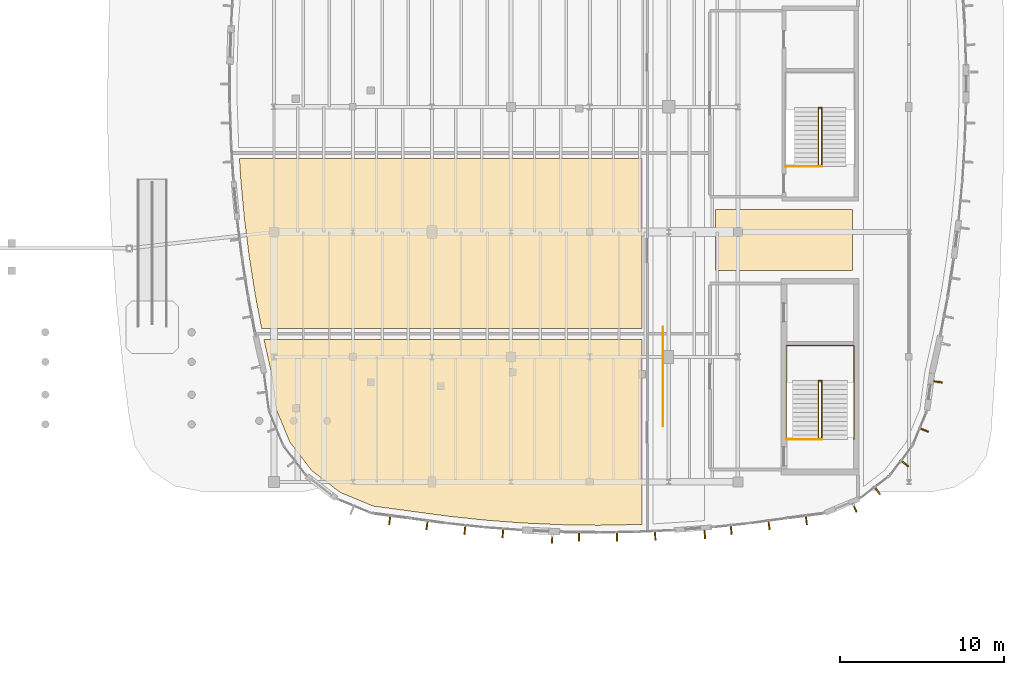
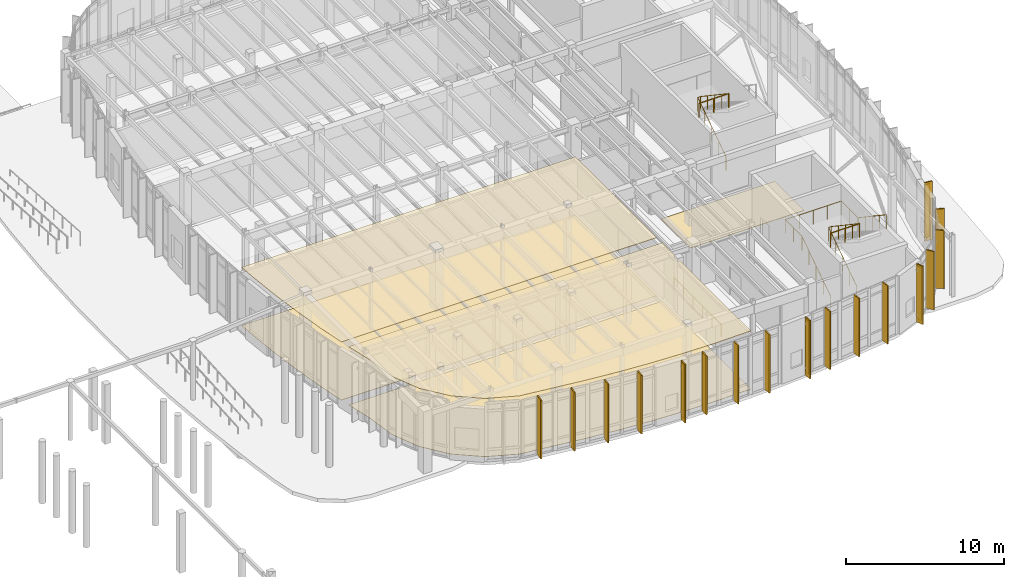
# One storey, part 115 of 120: 22 coverings, 6 railings, 4 shading devices.
"""IFC4 building model written with IfcOpenShell, lengths in metres."""

from ifc_helpers import new_model, si_unit, direction, frame, origin, origin_2d, place, context, subcontext, project, spatial, polyline, rectangle, circle, outline, extrude, material, layer, layer_set, type_object, element, save


model = new_model("IFC4")

# Units and contexts
model_context = context("Model", 3, precision=1e-05, world=origin(), true_north=direction((0.0, 1.0)))
body_context = subcontext(model_context, "Body", "Model", "MODEL_VIEW")
ifc_project = project(units=[si_unit("LENGTHUNIT", "METRE"), si_unit("AREAUNIT", "SQUARE_METRE"), si_unit("VOLUMEUNIT", "CUBIC_METRE"), si_unit("PLANEANGLEUNIT", "RADIAN"), si_unit("MASSUNIT", "GRAM", prefix="KILO")], contexts=[model_context])

# Site, building, storey
site_placement = place(None, origin())
site = spatial("IfcSite", under=ifc_project, at=site_placement, CompositionType="ELEMENT")
building_placement = place(site_placement, origin())
building = spatial("IfcBuilding", under=site, at=building_placement, Name="Corveleigh Park Community Centre", CompositionType="ELEMENT")
storey_placement = place(building_placement, origin())
storey = spatial("IfcBuildingStorey", under=building, at=storey_placement, Name="L00", CompositionType="ELEMENT", Elevation=0.0)

# Coverings
ifc_material_1 = material(Name="Warm buff ribbed architectural cladding", Category="masonry")
ifc_layer_1 = layer(ifc_material_1, 0.0849609375, Name="Warm buff ribbed architectural cladding", Category="masonry")
ifc_layer_set_1 = layer_set([ifc_layer_1], Name="Warm buff ribbed architectural cladding")
covering_type_1 = type_object("IfcCoveringType", Name="COV-CLD-BUF", PredefinedType="CLADDING", material=ifc_layer_set_1)
covering_1_placement = place(storey_placement, origin())
element("IfcCovering", 1, at=covering_1_placement, inside=storey, type_object=covering_type_1, Name="V4 L00 Brise-soleil blade 94", PredefinedType="CLADDING", context=body_context, shape_type="SweptSolid", body=[
    extrude(outline(polyline([(139.18701171875, 56.257080078125), (139.10302734375, 56.26806640625), (139.02392578125, 55.693115234375), (139.10791015625, 55.681884765625), (139.18701171875, 56.257080078125)])), origin(), (0.0, 0.0, 1.0), 4.537109375),
])
covering_2_placement = place(storey_placement, origin())
element("IfcCovering", 2, at=covering_2_placement, inside=storey, type_object=covering_type_1, Name="V4 L00 Brise-soleil blade 95", PredefinedType="CLADDING", context=body_context, shape_type="SweptSolid", body=[
    extrude(outline(polyline([(141.47900390625, 55.97802734375), (141.39501953125, 55.987060546875), (141.3330078125, 55.409912109375), (141.41796875, 55.40087890625), (141.47900390625, 55.97802734375)])), origin(), (0.0, 0.0, 1.0), 4.537109375),
])
covering_3_placement = place(storey_placement, origin())
element("IfcCovering", 3, at=covering_3_placement, inside=storey, type_object=covering_type_1, Name="V4 L00 Brise-soleil blade 96", PredefinedType="CLADDING", context=body_context, shape_type="SweptSolid", body=[
    extrude(outline(polyline([(143.778076171875, 55.76904296875), (143.693115234375, 55.77587890625), (143.64892578125, 55.197021484375), (143.73388671875, 55.19091796875), (143.778076171875, 55.76904296875)])), origin(), (0.0, 0.0, 1.0), 4.537109375),
])
covering_4_placement = place(storey_placement, origin())
element("IfcCovering", 4, at=covering_4_placement, inside=storey, type_object=covering_type_1, Name="V4 L00 Brise-soleil blade 97", PredefinedType="CLADDING", context=body_context, shape_type="SweptSolid", body=[
    extrude(outline(polyline([(146.76611328125, 55.39404296875), (146.680908203125, 55.39794921875), (146.656982421875, 54.863037109375), (146.741943359375, 54.85888671875), (146.76611328125, 55.39404296875)])), origin(), (0.0, 0.0, 1.0), 4.537109375),
])
covering_5_placement = place(storey_placement, origin())
element("IfcCovering", 5, at=covering_5_placement, inside=storey, type_object=covering_type_1, Name="V4 L00 Brise-soleil blade 98", PredefinedType="CLADDING", context=body_context, shape_type="SweptSolid", body=[
    extrude(outline(polyline([(148.387939453125, 55.56103515625), (148.302978515625, 55.56298828125), (148.2939453125, 54.98291015625), (148.37890625, 54.98095703125), (148.387939453125, 55.56103515625)])), origin(), (0.0, 0.0, 1.0), 4.537109375),
])
covering_6_placement = place(storey_placement, origin())
element("IfcCovering", 6, at=covering_6_placement, inside=storey, type_object=covering_type_1, Name="V4 L00 Brise-soleil blade 99", PredefinedType="CLADDING", context=body_context, shape_type="SweptSolid", body=[
    extrude(outline(polyline([(150.697021484375, 55.56298828125), (150.612060546875, 55.56103515625), (150.62109375, 54.98095703125), (150.7060546875, 54.98291015625), (150.697021484375, 55.56298828125)])), origin(), (0.0, 0.0, 1.0), 4.537109375),
])
covering_7_placement = place(storey_placement, origin())
element("IfcCovering", 7, at=covering_7_placement, inside=storey, type_object=covering_type_1, Name="V4 L00 Brise-soleil blade 100", PredefinedType="CLADDING", context=body_context, shape_type="SweptSolid", body=[
    extrude(outline(polyline([(153.00390625, 55.634033203125), (152.9189453125, 55.631103515625), (152.945068359375, 55.051025390625), (153.030029296875, 55.054931640625), (153.00390625, 55.634033203125)])), origin(), (0.0, 0.0, 1.0), 4.537109375),
])
covering_8_placement = place(storey_placement, origin())
element("IfcCovering", 8, at=covering_8_placement, inside=storey, type_object=covering_type_1, Name="V4 L00 Brise-soleil blade 101", PredefinedType="CLADDING", context=body_context, shape_type="SweptSolid", body=[
    extrude(outline(polyline([(156.011962890625, 55.674072265625), (155.927001953125, 55.6669921875), (155.968017578125, 55.134033203125), (156.052001953125, 55.139892578125), (156.011962890625, 55.674072265625)])), origin(), (0.0, 0.0, 1.0), 4.511962890625),
])
covering_9_placement = place(storey_placement, origin())
element("IfcCovering", 9, at=covering_9_placement, inside=storey, type_object=covering_type_1, Name="V4 L00 Brise-soleil blade 102", PredefinedType="CLADDING", context=body_context, shape_type="SweptSolid", body=[
    extrude(outline(polyline([(157.60498046875, 55.987060546875), (157.52099609375, 55.97802734375), (157.58203125, 55.40087890625), (157.6669921875, 55.409912109375), (157.60498046875, 55.987060546875)])), origin(), (0.0, 0.0, 1.0), 4.511962890625),
])
covering_10_placement = place(storey_placement, origin())
element("IfcCovering", 10, at=covering_10_placement, inside=storey, type_object=covering_type_1, Name="V4 L00 Brise-soleil blade 103", PredefinedType="CLADDING", context=body_context, shape_type="SweptSolid", body=[
    extrude(outline(polyline([(159.89697265625, 56.26806640625), (159.81298828125, 56.257080078125), (159.89208984375, 55.681884765625), (159.97607421875, 55.693115234375), (159.89697265625, 56.26806640625)])), origin(), (0.0, 0.0, 1.0), 4.511962890625),
])
covering_11_placement = place(storey_placement, origin())
element("IfcCovering", 11, at=covering_11_placement, inside=storey, type_object=covering_type_1, Name="V4 L00 Brise-soleil blade 104", PredefinedType="CLADDING", context=body_context, shape_type="SweptSolid", body=[
    extrude(outline(polyline([(162.166015625, 56.573974609375), (162.08203125, 56.56298828125), (162.157958984375, 55.988037109375), (162.241943359375, 55.9990234375), (162.166015625, 56.573974609375)])), origin(), (0.0, 0.0, 1.0), 4.511962890625),
])
covering_12_placement = place(storey_placement, origin())
element("IfcCovering", 12, at=covering_12_placement, inside=storey, type_object=covering_type_1, Name="V4 L00 Brise-soleil blade 105", PredefinedType="CLADDING", context=body_context, shape_type="SweptSolid", body=[
    extrude(outline(polyline([(165.049072265625, 57.277099609375), (164.970947265625, 57.243896484375), (165.175048828125, 56.75), (165.25390625, 56.782958984375), (165.049072265625, 57.277099609375)])), origin(), (0.0, 0.0, 1.0), 4.511962890625),
])
covering_13_placement = place(storey_placement, origin())
element("IfcCovering", 13, at=covering_13_placement, inside=storey, type_object=covering_type_1, Name="V4 L00 Brise-soleil blade 106", PredefinedType="CLADDING", context=body_context, shape_type="SweptSolid", body=[
    extrude(outline(polyline([(166.3330078125, 58.320068359375), (166.26611328125, 58.26806640625), (166.618896484375, 57.80810546875), (166.68603515625, 57.860107421875), (166.3330078125, 58.320068359375)])), origin(), (0.0, 0.0, 1.0), 4.511962890625),
])
covering_14_placement = place(storey_placement, origin())
element("IfcCovering", 14, at=covering_14_placement, inside=storey, type_object=covering_type_1, Name="V4 L00 Brise-soleil blade 107", PredefinedType="CLADDING", context=body_context, shape_type="SweptSolid", body=[
    extrude(outline(polyline([(167.931884765625, 59.93408203125), (167.8798828125, 59.866943359375), (168.340087890625, 59.513916015625), (168.39208984375, 59.5810546875), (167.931884765625, 59.93408203125)])), origin(), (0.0, 0.0, 1.0), 4.511962890625),
])
covering_15_placement = place(storey_placement, origin())
element("IfcCovering", 15, at=covering_15_placement, inside=storey, type_object=covering_type_1, Name="V4 L00 Brise-soleil blade 108", PredefinedType="CLADDING", context=body_context, shape_type="SweptSolid", body=[
    extrude(outline(polyline([(169.05810546875, 61.907958984375), (169.02587890625, 61.8291015625), (169.56201171875, 61.60693359375), (169.593994140625, 61.68603515625), (169.05810546875, 61.907958984375)])), origin(), (0.0, 0.0, 1.0), 4.511962890625),
])
covering_16_placement = place(storey_placement, origin())
element("IfcCovering", 16, at=covering_16_placement, inside=storey, type_object=covering_type_1, Name="V4 L00 Brise-soleil blade 109", PredefinedType="CLADDING", context=body_context, shape_type="SweptSolid", body=[
    extrude(outline(polyline([(169.89794921875, 64.760986328125), (169.886962890625, 64.676025390625), (170.41796875, 64.60595703125), (170.428955078125, 64.69091796875), (169.89794921875, 64.760986328125)])), origin(), (0.0, 0.0, 1.0), 4.527099609375),
])
covering_17_placement = place(storey_placement, origin())
element("IfcCovering", 17, at=covering_17_placement, inside=storey, type_object=covering_type_1, Name="V4 L00 Brise-soleil blade 158", PredefinedType="CLADDING", context=body_context, shape_type="SweptSolid", body=[
    extrude(outline(polyline([(136.91796875, 56.56298828125), (136.833984375, 56.573974609375), (136.758056640625, 55.9990234375), (136.842041015625, 55.988037109375), (136.91796875, 56.56298828125)])), origin(), (0.0, 0.0, 1.0), 4.537109375),
])
ifc_material_2 = material(Name="Perforated acoustic suspended ceiling", Category="gypsum")
ifc_layer_2 = layer(ifc_material_2, 0.0400390625, Name="Perforated acoustic suspended ceiling", Category="gypsum")
ifc_layer_set_2 = layer_set([ifc_layer_2], Name="Perforated acoustic suspended ceiling")
covering_type_2 = type_object("IfcCoveringType", Name="COV-CLG-ACU", PredefinedType="CEILING", material=ifc_layer_set_2)
covering_18_placement = place(storey_placement, frame((0.0, 0.0, 4.4951171875)))
element("IfcCovering", 18, at=covering_18_placement, inside=storey, type_object=covering_type_2, Name="Early Years Babies Playroom acoustic ceiling", PredefinedType="CEILING", context=body_context, shape_type="SweptSolid", body=[
    extrude(outline(polyline([(132.091064453125, 59.291015625), (130.762939453125, 61.02197265625), (129.928955078125, 63.037109375), (129.635009765625, 65.26806640625), (129.18896484375, 67.260009765625), (152.159912109375, 67.260009765625), (152.159912109375, 56.01611328125), (149.5, 55.964111328125), (147.2041015625, 56.0), (144.912109375, 56.10400390625), (142.623046875, 56.278076171875), (140.340087890625, 56.52197265625), (135.8369140625, 57.12890625), (133.822021484375, 57.962890625), (132.091064453125, 59.291015625)])), origin(), (0.0, 0.0, 1.0), 0.039794921875),
])
covering_19_placement = place(storey_placement, frame((0.0, 0.0, 4.4951171875)))
element("IfcCovering", 19, at=covering_19_placement, inside=storey, type_object=covering_type_2, Name="Early Years Toddlers Playroom acoustic ceiling", PredefinedType="CEILING", context=body_context, shape_type="SweptSolid", body=[
    extrude(outline(polyline([(127.784912109375, 76.919921875), (127.699951171875, 78.260009765625), (152.159912109375, 78.260009765625), (152.159912109375, 67.93994140625), (129.048095703125, 67.93994140625), (128.6708984375, 69.9140625), (128.302978515625, 72.239013671875), (128.006103515625, 74.574951171875), (127.784912109375, 76.919921875)])), origin(), (0.0, 0.0, 1.0), 0.039794921875),
])
ifc_material_3 = material(Name="Acoustic linoleum flooring", Category="wood")
ifc_layer_3 = layer(ifc_material_3, 0.02490234375, Name="Acoustic linoleum flooring", Category="wood")
ifc_layer_set_3 = layer_set([ifc_layer_3], Name="Acoustic linoleum flooring")
covering_type_3 = type_object("IfcCoveringType", Name="COV-FLR-LIN", PredefinedType="FLOORING", material=ifc_layer_set_3)
covering_20_placement = place(storey_placement, origin())
element("IfcCovering", 20, at=covering_20_placement, inside=storey, type_object=covering_type_3, Name="Ground East Park Concourse Link flooring", PredefinedType="FLOORING", context=body_context, shape_type="SweptSolid", body=[
    extrude(outline(polyline([(164.9599609375, 71.43994140625), (156.639892578125, 71.43994140625), (156.639892578125, 75.159912109375), (164.9599609375, 75.159912109375), (164.9599609375, 71.43994140625)])), origin(), (0.0, 0.0, 1.0), 0.02490234375),
])
covering_21_placement = place(storey_placement, origin())
element("IfcCovering", 21, at=covering_21_placement, inside=storey, type_object=covering_type_3, Name="Early Years Babies Playroom flooring", PredefinedType="FLOORING", context=body_context, shape_type="SweptSolid", body=[
    extrude(outline(polyline([(132.091064453125, 59.291015625), (130.762939453125, 61.02197265625), (129.928955078125, 63.037109375), (129.635009765625, 65.26806640625), (129.18896484375, 67.260009765625), (152.159912109375, 67.260009765625), (152.159912109375, 56.01611328125), (149.5, 55.964111328125), (147.2041015625, 56.0), (144.912109375, 56.10400390625), (142.623046875, 56.278076171875), (140.340087890625, 56.52197265625), (135.8369140625, 57.12890625), (133.822021484375, 57.962890625), (132.091064453125, 59.291015625)])), origin(), (0.0, 0.0, 1.0), 0.02490234375),
])
covering_22_placement = place(storey_placement, origin())
element("IfcCovering", 22, at=covering_22_placement, inside=storey, type_object=covering_type_3, Name="Early Years Toddlers Playroom flooring", PredefinedType="FLOORING", context=body_context, shape_type="SweptSolid", body=[
    extrude(outline(polyline([(127.784912109375, 76.919921875), (127.699951171875, 78.260009765625), (152.159912109375, 78.260009765625), (152.159912109375, 67.93994140625), (129.048095703125, 67.93994140625), (128.6708984375, 69.9140625), (128.302978515625, 72.239013671875), (128.006103515625, 74.574951171875), (127.784912109375, 76.919921875)])), origin(), (0.0, 0.0, 1.0), 0.02490234375),
])

# Railings
ifc_material_4 = material(Name="Stainless steel 316 balustrade", Category="steel")
railing_type_1 = type_object("IfcRailingType", Name="RLG-BAL-INT-1100", PredefinedType="BALUSTRADE", material=ifc_material_4)
railing_1_placement = place(storey_placement, frame((162.89990234375, 61.179931640625, 0.0)))
element("IfcRailing", 23, at=railing_1_placement, inside=storey, type_object=railing_type_1, Name="Stair ST1 inner guard L00", PredefinedType="BALUSTRADE", context=body_context, shape_type="SweptSolid", body=[
    extrude(circle(Radius=0.02392578125, at=origin_2d()), frame((0.0, 0.0, 1.076171875), z_axis=(0.0, 0.830266487006, 0.557366630285), x_axis=(-1.0, 0.0, 0.0)), (0.0, 0.0, 1.0), 4.305908203125),
    extrude(circle(Radius=0.02392578125, at=origin_2d()), frame((0.0, 3.574951171875, 3.47607421875), z_axis=(1.0, 0.0, 0.0), x_axis=(0.0, 1.0, 0.0)), (0.0, 0.0, 1.0), 0.2001953125),
    extrude(circle(Radius=0.02392578125, at=origin_2d()), frame((0.2001953125, 3.574951171875, 3.47607421875), z_axis=(0.0, -0.830240247997, 0.557405714543), x_axis=(1.0, 0.0, 0.0)), (0.0, 0.0, 1.0), 4.305908203125),
    extrude(circle(Radius=0.02099609375, at=origin_2d()), origin(), (0.0, 0.0, 1.0), 1.052001953125),
    extrude(circle(Radius=0.02099609375, at=origin_2d()), frame((0.0, 0.893798828125, 0.60009765625)), (0.0, 0.0, 1.0), 1.052001953125),
    extrude(circle(Radius=0.02099609375, at=origin_2d()), frame((0.0, 1.78759765625, 1.199951171875)), (0.0, 0.0, 1.0), 1.052001953125),
    extrude(circle(Radius=0.02099609375, at=origin_2d()), frame((0.0, 2.68115234375, 1.7998046875)), (0.0, 0.0, 1.0), 1.052001953125),
    extrude(circle(Radius=0.02099609375, at=origin_2d()), frame((0.0, 3.574951171875, 2.39990234375)), (0.0, 0.0, 1.0), 1.052001953125),
    extrude(circle(Radius=0.02099609375, at=origin_2d()), frame((0.2001953125, 3.574951171875, 2.39990234375)), (0.0, 0.0, 1.0), 1.052001953125),
    extrude(circle(Radius=0.02099609375, at=origin_2d()), frame((0.2001953125, 2.68115234375, 3.0)), (0.0, 0.0, 1.0), 1.052001953125),
    extrude(circle(Radius=0.02099609375, at=origin_2d()), frame((0.2001953125, 1.78759765625, 3.60009765625)), (0.0, 0.0, 1.0), 1.052001953125),
    extrude(circle(Radius=0.02099609375, at=origin_2d()), frame((0.2001953125, 0.893798828125, 4.199951171875)), (0.0, 0.0, 1.0), 1.052001953125),
    extrude(circle(Radius=0.02099609375, at=origin_2d()), frame((0.2001953125, 0.0, 4.800048828125)), (0.0, 0.0, 1.0), 1.052001953125),
])
railing_2_placement = place(storey_placement, frame((160.967041015625, 61.179931640625, 4.800048828125)))
element("IfcRailing", 24, at=railing_2_placement, inside=storey, type_object=railing_type_1, Name="Stair ST1 landing guard L00", PredefinedType="BALUSTRADE", context=body_context, shape_type="SweptSolid", body=[
    extrude(circle(Radius=0.02392578125, at=origin_2d()), frame((0.0, 0.0, 1.076171875), z_axis=(1.0, 0.0, 0.0), x_axis=(0.0, 1.0, 0.0)), (0.0, 0.0, 1.0), 2.133056640625),
    extrude(circle(Radius=0.02099609375, at=origin_2d()), origin(), (0.0, 0.0, 1.0), 1.052001953125),
    extrude(circle(Radius=0.02099609375, at=origin_2d()), frame((1.06640625, 0.0, 0.0)), (0.0, 0.0, 1.0), 1.052001953125),
    extrude(circle(Radius=0.02099609375, at=origin_2d()), frame((2.133056640625, 0.0, 0.0)), (0.0, 0.0, 1.0), 1.052001953125),
])
railing_3_placement = place(storey_placement, frame((160.947021484375, 61.179931640625, 0.0)))
element("IfcRailing", 25, at=railing_3_placement, inside=storey, type_object=railing_type_1, Name="Stair ST1 perimeter guard L00", PredefinedType="BALUSTRADE", context=body_context, shape_type="SweptSolid", body=[
    extrude(circle(Radius=0.02392578125, at=origin_2d()), frame((0.0, 0.0, 1.076171875), z_axis=(0.0, 0.830266487006, 0.557366630285), x_axis=(-1.0, 0.0, 0.0)), (0.0, 0.0, 1.0), 4.305908203125),
    extrude(circle(Radius=0.02392578125, at=origin_2d()), frame((0.0, 3.574951171875, 3.47607421875), z_axis=(0.0, 1.0, 0.0), x_axis=(-1.0, 0.0, 0.0)), (0.0, 0.0, 1.0), 2.13818359375),
    extrude(circle(Radius=0.02392578125, at=origin_2d()), frame((0.0, 5.713134765625, 3.47607421875), z_axis=(1.0, 0.0, 0.0), x_axis=(0.0, 1.0, 0.0)), (0.0, 0.0, 1.0), 4.10595703125),
    extrude(circle(Radius=0.02392578125, at=origin_2d()), frame((4.10595703125, 5.713134765625, 3.47607421875), z_axis=(0.0, -1.0, 0.0), x_axis=(1.0, 0.0, 0.0)), (0.0, 0.0, 1.0), 2.13818359375),
    extrude(circle(Radius=0.02392578125, at=origin_2d()), frame((4.10595703125, 3.574951171875, 3.47607421875), z_axis=(0.0, -0.830240247997, 0.557405714543), x_axis=(1.0, 0.0, 0.0)), (0.0, 0.0, 1.0), 4.305908203125),
    extrude(circle(Radius=0.02099609375, at=origin_2d()), origin(), (0.0, 0.0, 1.0), 1.052001953125),
    extrude(circle(Radius=0.02099609375, at=origin_2d()), frame((0.0, 0.893798828125, 0.60009765625)), (0.0, 0.0, 1.0), 1.052001953125),
    extrude(circle(Radius=0.02099609375, at=origin_2d()), frame((0.0, 1.78759765625, 1.199951171875)), (0.0, 0.0, 1.0), 1.052001953125),
    extrude(circle(Radius=0.02099609375, at=origin_2d()), frame((0.0, 2.68115234375, 1.7998046875)), (0.0, 0.0, 1.0), 1.052001953125),
    extrude(circle(Radius=0.02099609375, at=origin_2d()), frame((0.0, 3.574951171875, 2.39990234375)), (0.0, 0.0, 1.0), 1.052001953125),
    extrude(circle(Radius=0.02099609375, at=origin_2d()), frame((0.0, 4.64404296875, 2.39990234375)), (0.0, 0.0, 1.0), 1.052001953125),
    extrude(circle(Radius=0.02099609375, at=origin_2d()), frame((0.0, 5.713134765625, 2.39990234375)), (0.0, 0.0, 1.0), 1.052001953125),
    extrude(circle(Radius=0.02099609375, at=origin_2d()), frame((1.0263671875, 5.713134765625, 2.39990234375)), (0.0, 0.0, 1.0), 1.052001953125),
    extrude(circle(Radius=0.02099609375, at=origin_2d()), frame((2.052978515625, 5.713134765625, 2.39990234375)), (0.0, 0.0, 1.0), 1.052001953125),
    extrude(circle(Radius=0.02099609375, at=origin_2d()), frame((3.07958984375, 5.713134765625, 2.39990234375)), (0.0, 0.0, 1.0), 1.052001953125),
    extrude(circle(Radius=0.02099609375, at=origin_2d()), frame((4.10595703125, 5.713134765625, 2.39990234375)), (0.0, 0.0, 1.0), 1.052001953125),
    extrude(circle(Radius=0.02099609375, at=origin_2d()), frame((4.10595703125, 4.64404296875, 2.39990234375)), (0.0, 0.0, 1.0), 1.052001953125),
    extrude(circle(Radius=0.02099609375, at=origin_2d()), frame((4.10595703125, 3.574951171875, 2.39990234375)), (0.0, 0.0, 1.0), 1.052001953125),
    extrude(circle(Radius=0.02099609375, at=origin_2d()), frame((4.10595703125, 2.68115234375, 3.0)), (0.0, 0.0, 1.0), 1.052001953125),
    extrude(circle(Radius=0.02099609375, at=origin_2d()), frame((4.10595703125, 1.78759765625, 3.60009765625)), (0.0, 0.0, 1.0), 1.052001953125),
    extrude(circle(Radius=0.02099609375, at=origin_2d()), frame((4.10595703125, 0.893798828125, 4.199951171875)), (0.0, 0.0, 1.0), 1.052001953125),
    extrude(circle(Radius=0.02099609375, at=origin_2d()), frame((4.10595703125, 0.0, 4.800048828125)), (0.0, 0.0, 1.0), 1.052001953125),
])
railing_4_placement = place(storey_placement, frame((162.89990234375, 77.780029296875, 0.0)))
element("IfcRailing", 26, at=railing_4_placement, inside=storey, type_object=railing_type_1, Name="Stair ST6 inner guard L00", PredefinedType="BALUSTRADE", context=body_context, shape_type="SweptSolid", body=[
    extrude(circle(Radius=0.02392578125, at=origin_2d()), frame((0.0, 0.0, 1.076171875), z_axis=(0.0, 0.830266487006, 0.557366630285), x_axis=(-1.0, 0.0, 0.0)), (0.0, 0.0, 1.0), 4.305908203125),
    extrude(circle(Radius=0.02392578125, at=origin_2d()), frame((0.0, 3.574951171875, 3.47607421875), z_axis=(1.0, 0.0, 0.0), x_axis=(0.0, 1.0, 0.0)), (0.0, 0.0, 1.0), 0.2001953125),
    extrude(circle(Radius=0.02392578125, at=origin_2d()), frame((0.2001953125, 3.574951171875, 3.47607421875), z_axis=(0.0, -0.830240247997, 0.557405714543), x_axis=(1.0, 0.0, 0.0)), (0.0, 0.0, 1.0), 4.305908203125),
    extrude(circle(Radius=0.02099609375, at=origin_2d()), origin(), (0.0, 0.0, 1.0), 1.052001953125),
    extrude(circle(Radius=0.02099609375, at=origin_2d()), frame((0.0, 0.893798828125, 0.60009765625)), (0.0, 0.0, 1.0), 1.052001953125),
    extrude(circle(Radius=0.02099609375, at=origin_2d()), frame((0.0, 1.78759765625, 1.199951171875)), (0.0, 0.0, 1.0), 1.052001953125),
    extrude(circle(Radius=0.02099609375, at=origin_2d()), frame((0.0, 2.68115234375, 1.7998046875)), (0.0, 0.0, 1.0), 1.052001953125),
    extrude(circle(Radius=0.02099609375, at=origin_2d()), frame((0.0, 3.574951171875, 2.39990234375)), (0.0, 0.0, 1.0), 1.052001953125),
    extrude(circle(Radius=0.02099609375, at=origin_2d()), frame((0.2001953125, 3.574951171875, 2.39990234375)), (0.0, 0.0, 1.0), 1.052001953125),
    extrude(circle(Radius=0.02099609375, at=origin_2d()), frame((0.2001953125, 2.68115234375, 3.0)), (0.0, 0.0, 1.0), 1.052001953125),
    extrude(circle(Radius=0.02099609375, at=origin_2d()), frame((0.2001953125, 1.78759765625, 3.60009765625)), (0.0, 0.0, 1.0), 1.052001953125),
    extrude(circle(Radius=0.02099609375, at=origin_2d()), frame((0.2001953125, 0.893798828125, 4.199951171875)), (0.0, 0.0, 1.0), 1.052001953125),
    extrude(circle(Radius=0.02099609375, at=origin_2d()), frame((0.2001953125, 0.0, 4.800048828125)), (0.0, 0.0, 1.0), 1.052001953125),
])
railing_5_placement = place(storey_placement, frame((160.9169921875, 77.780029296875, 4.800048828125)))
element("IfcRailing", 27, at=railing_5_placement, inside=storey, type_object=railing_type_1, Name="Stair ST6 landing guard L00", PredefinedType="BALUSTRADE", context=body_context, shape_type="SweptSolid", body=[
    extrude(circle(Radius=0.02392578125, at=origin_2d()), frame((0.0, 0.0, 1.076171875), z_axis=(1.0, 0.0, 0.0), x_axis=(0.0, 1.0, 0.0)), (0.0, 0.0, 1.0), 2.18310546875),
    extrude(circle(Radius=0.02099609375, at=origin_2d()), origin(), (0.0, 0.0, 1.0), 1.052001953125),
    extrude(circle(Radius=0.02099609375, at=origin_2d()), frame((1.091552734375, 0.0, 0.0)), (0.0, 0.0, 1.0), 1.052001953125),
    extrude(circle(Radius=0.02099609375, at=origin_2d()), frame((2.18310546875, 0.0, 0.0)), (0.0, 0.0, 1.0), 1.052001953125),
])
ifc_material_5 = material(Name="Powder-coated aluminium handrail", Category="aluminium")
railing_type_2 = type_object("IfcRailingType", Name="RLG-HND-INT-950", PredefinedType="HANDRAIL", material=ifc_material_5)
railing_6_placement = place(storey_placement, frame((153.449951171875, 62.0, 0.0)))
element("IfcRailing", 28, at=railing_6_placement, inside=storey, type_object=railing_type_2, Name="Accessible corridor wall handrail L00", PredefinedType="HANDRAIL", context=body_context, shape_type="SweptSolid", body=[
    extrude(circle(Radius=0.02392578125, at=origin_2d()), frame((0.0, 0.0, 0.92578125), z_axis=(0.0, 1.0, 0.0), x_axis=(-1.0, 0.0, 0.0)), (0.0, 0.0, 1.0), 6.0),
    extrude(circle(Radius=0.02099609375, at=origin_2d()), origin(), (0.0, 0.0, 1.0), 0.90185546875),
    extrude(circle(Radius=0.02099609375, at=origin_2d()), frame((0.0, 1.199951171875, 0.0)), (0.0, 0.0, 1.0), 0.90185546875),
    extrude(circle(Radius=0.02099609375, at=origin_2d()), frame((0.0, 2.39990234375, 0.0)), (0.0, 0.0, 1.0), 0.90185546875),
    extrude(circle(Radius=0.02099609375, at=origin_2d()), frame((0.0, 3.60009765625, 0.0)), (0.0, 0.0, 1.0), 0.90185546875),
    extrude(circle(Radius=0.02099609375, at=origin_2d()), frame((0.0, 4.800048828125, 0.0)), (0.0, 0.0, 1.0), 0.90185546875),
    extrude(circle(Radius=0.02099609375, at=origin_2d()), frame((0.0, 6.0, 0.0)), (0.0, 0.0, 1.0), 0.90185546875),
])

# Shading devices
ifc_material_6 = material(Name="Terracotta-anodised aluminium fin", Category="masonry")
shading_device_type_1 = type_object("IfcShadingDeviceType", Name="SHD-FIN-TER-350", PredefinedType="USERDEFINED", material=ifc_material_6)
shading_device_1_placement = place(storey_placement, frame((155.98388671875, 55.48095703125, 0.25), z_axis=(0.0, 0.0, 1.0), x_axis=(0.075527958586, -0.997143684467, 0.0)))
element("IfcShadingDevice", 29, at=shading_device_1_placement, inside=storey, type_object=shading_device_type_1, Name="Terracotta brise-soleil fin 17", ObjectType="FIN", PredefinedType="USERDEFINED", context=body_context, shape_type="SweptSolid", body=[
    extrude(rectangle(XDim=0.35009765625, YDim=0.06005859375, at=origin_2d()), origin(), (0.0, 0.0, 1.0), 4.112060546875),
])
shading_device_2_placement = place(storey_placement, frame((170.0810546875, 64.694091796875, 0.25), z_axis=(0.0, 0.0, 1.0), x_axis=(0.991428562913, -0.13064993165, 0.0)))
element("IfcShadingDevice", 30, at=shading_device_2_placement, inside=storey, type_object=shading_device_type_1, Name="Terracotta brise-soleil fin 19", ObjectType="FIN", PredefinedType="USERDEFINED", context=body_context, shape_type="SweptSolid", body=[
    extrude(rectangle(XDim=0.35009765625, YDim=0.06005859375, at=origin_2d()), origin(), (0.0, 0.0, 1.0), 4.126953125),
])
shading_device_type_2 = type_object("IfcShadingDeviceType", Name="SHD-FIN-TER-450", PredefinedType="USERDEFINED", material=ifc_material_6)
shading_device_3_placement = place(storey_placement, frame((146.715087890625, 55.2060546875, 0.25), z_axis=(0.0, 0.0, 1.0), x_axis=(-0.045843359805, -0.998948640502, 0.0)))
element("IfcShadingDevice", 31, at=shading_device_3_placement, inside=storey, type_object=shading_device_type_2, Name="Terracotta brise-soleil fin 16", ObjectType="FIN", PredefinedType="USERDEFINED", context=body_context, shape_type="SweptSolid", body=[
    extrude(rectangle(XDim=0.449951171875, YDim=0.06494140625, at=origin_2d()), origin(), (0.0, 0.0, 1.0), 4.136962890625),
])
shading_device_4_placement = place(storey_placement, frame((165.0830078125, 57.0849609375, 0.25), z_axis=(0.0, 0.0, 1.0), x_axis=(0.383024346152, -0.923738247695, 0.0)))
element("IfcShadingDevice", 32, at=shading_device_4_placement, inside=storey, type_object=shading_device_type_2, Name="Terracotta brise-soleil fin 18", ObjectType="FIN", PredefinedType="USERDEFINED", context=body_context, shape_type="SweptSolid", body=[
    extrude(rectangle(XDim=0.449951171875, YDim=0.06494140625, at=origin_2d()), origin(), (0.0, 0.0, 1.0), 4.112060546875),
])

save(model, "model.ifc")
